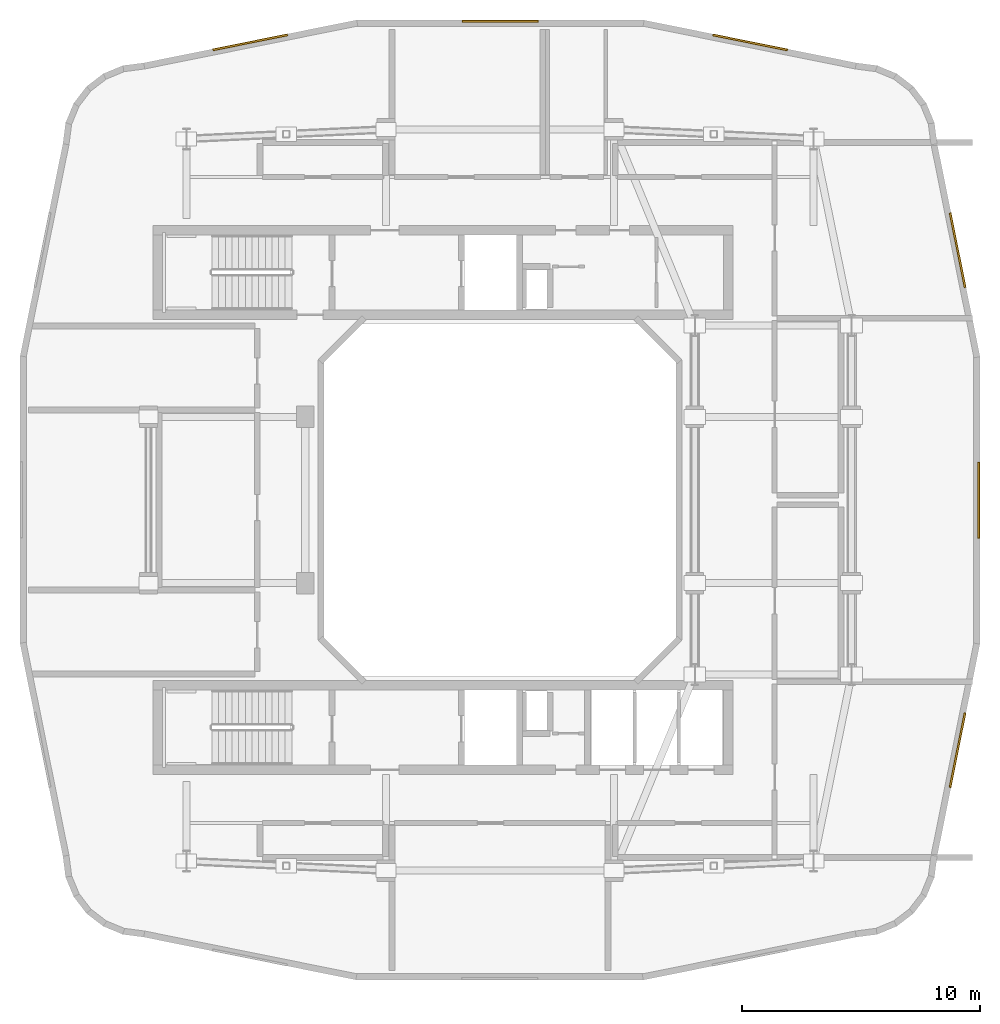
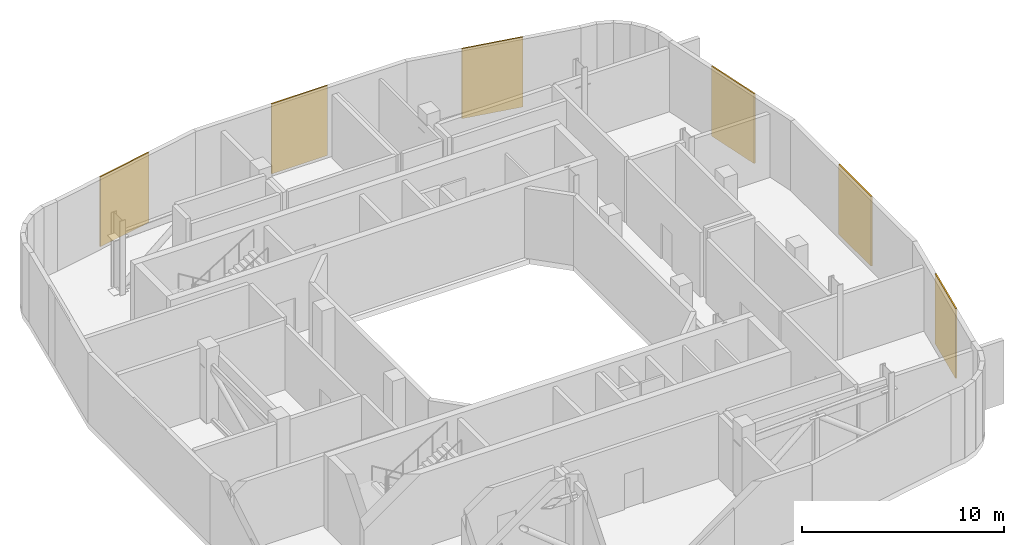
# One storey, part 9 of 9: 6 coverings.
"""IFC4 building model written with IfcOpenShell, lengths in metres."""

from ifc_helpers import new_model, si_unit, derived_unit, direction, frame, origin, origin_2d, place, context, subcontext, project, spatial, rectangle, extrude, material, layer, layer_set, type_object, element, save


model = new_model("IFC4")

# Units and contexts
model_context = context("Model", 3, precision=1e-05, world=origin(), true_north=direction((0.0, 1.0)))
body_context = subcontext(model_context, "Body", "Model", "MODEL_VIEW")
ifc_project = project(units=[si_unit("LENGTHUNIT", "METRE"), si_unit("AREAUNIT", "SQUARE_METRE"), si_unit("VOLUMEUNIT", "CUBIC_METRE"), si_unit("PLANEANGLEUNIT", "RADIAN"), si_unit("MASSUNIT", "GRAM", prefix="KILO"), derived_unit("THERMALTRANSMITTANCEUNIT", [(si_unit("POWERUNIT", "WATT"), 1), (si_unit("LENGTHUNIT", "METRE"), -2), (si_unit("THERMODYNAMICTEMPERATUREUNIT", "KELVIN"), -1)])], contexts=[model_context])

# Site, building, storey
site_placement = place(None, origin())
site = spatial("IfcSite", under=ifc_project, at=site_placement, CompositionType="ELEMENT")
building_placement = place(site_placement, origin())
building = spatial("IfcBuilding", under=site, at=building_placement, Name="Kivonza Crest Hotel", CompositionType="ELEMENT")
storey_placement = place(building_placement, frame((0.0, 0.0, 173.0)))
storey = spatial("IfcBuildingStorey", under=building, at=storey_placement, Name="L47", CompositionType="ELEMENT", Elevation=173.0)

# Coverings
ifc_material = material(Name="Anodised bronze aluminium acoustic louvre cladding", Category="aluminium")
ifc_layer = layer(ifc_material, 0.080078125)
ifc_layer_set = layer_set([ifc_layer], Name="Anodised bronze aluminium acoustic louvre cladding")
covering_type = type_object("IfcCoveringType", Name="CV-CLAD-80", PredefinedType="CLADDING", material=ifc_layer_set)
for number, where, z_axis, x_axis, name in (
    (1, (40.259033203125, 14.468994140625, 0.0), (0.0, 0.0, 1.0), (0.197315149153, 0.980340110326, 0.0), "L47 T1 terracotta baguette and louvre screen 16"),
    (2, (41.159912109375, 24.98291015625, 0.0), (0.0, 0.0, 1.0), (0.0, 1.0, 0.0), "L47 T1 terracotta baguette and louvre screen 17"),
    (3, (40.261962890625, 35.513916015625, 0.0), (0.0, 0.0, 1.0), (-0.197315149153, 0.980340110326, 0.0), "L47 T1 terracotta baguette and louvre screen 18"),
    (4, (31.531005859375, 44.259033203125, 0.0), (0.0, 0.0, 1.0), (-0.980340110326, 0.197315149153, 0.0), "L47 T1 terracotta baguette and louvre screen 25"),
    (5, (21.01708984375, 45.159912109375, 0.0), (0.0, 0.0, 1.0), (-1.0, 0.0, 0.0), "L47 T1 terracotta baguette and louvre screen 26"),
    (6, (10.486083984375, 44.261962890625, 0.0), (0.0, 0.0, 1.0), (-0.980340110326, -0.197315149153, 0.0), "L47 T1 terracotta baguette and louvre screen 27"),
):
    element("IfcCovering", number, at=place(storey_placement, frame(where, z_axis=z_axis, x_axis=x_axis)), inside=storey, type_object=covering_type, Name=name, PredefinedType="CLADDING", context=body_context, shape_type="SweptSolid", body=[
        extrude(rectangle(XDim=3.199951171875, YDim=0.080078125, at=origin_2d()), origin(), (0.0, 0.0, 1.0), 4.219970703125),
    ])

save(model, "model.ifc")
